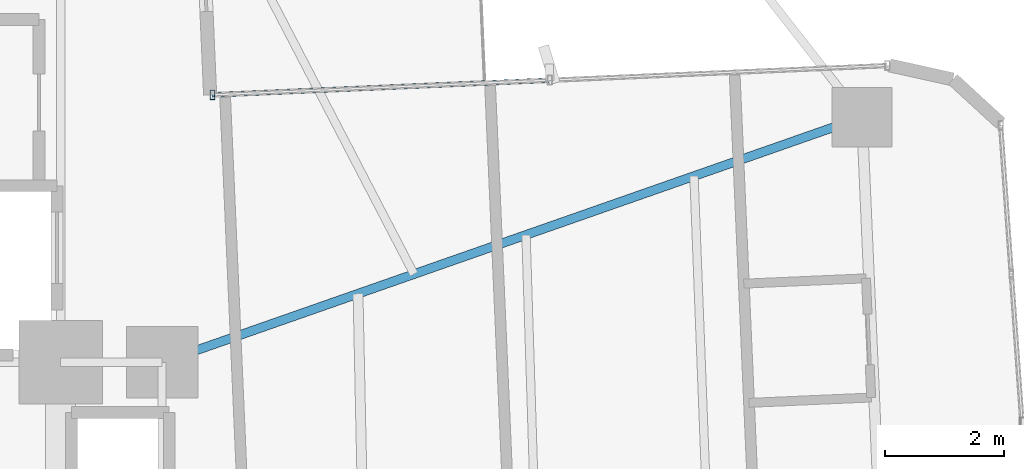
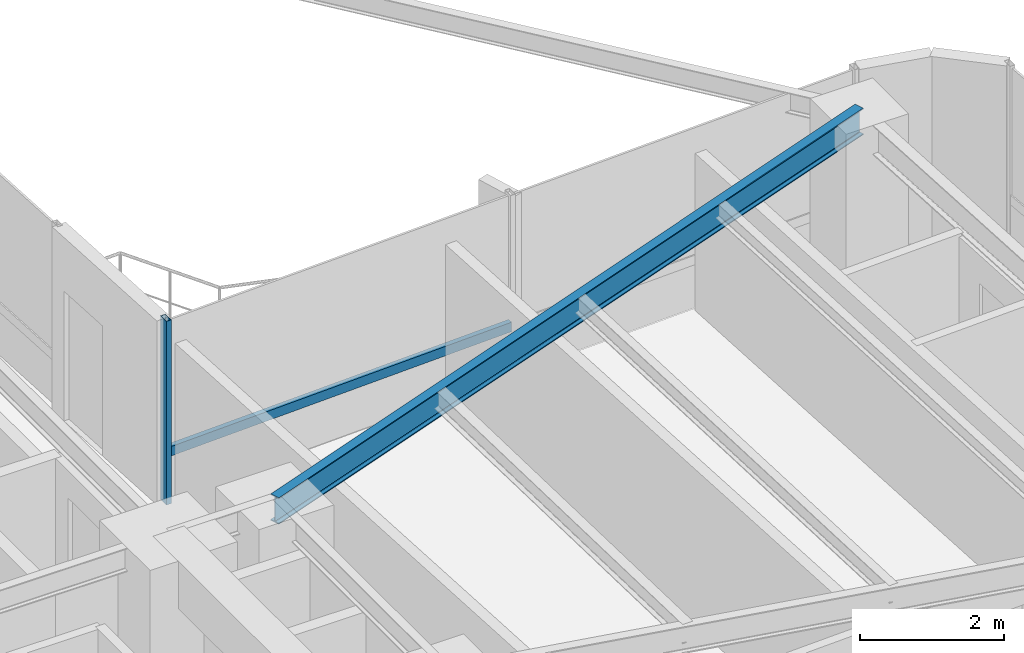
# One storey, part 13 of 26: 2 members, 1 beam, 1 element without a shape of its own.
"""IFC4 building model written with IfcOpenShell, lengths in metres."""

from ifc_helpers import new_model, si_unit, direction, frame, origin, origin_2d, place, context, subcontext, project, spatial, hollow_rectangle, i_section, extrude, source, transform, mapped, material, material_profile, profile_set, type_object, element, aggregate, save


model = new_model("IFC4")

# Units and contexts
model_context = context("Model", 3, precision=1e-05, world=origin(), true_north=direction((0.0, 1.0)))
body_context = subcontext(model_context, "Body", "Model", "MODEL_VIEW")
ifc_project = project(units=[si_unit("LENGTHUNIT", "METRE"), si_unit("AREAUNIT", "SQUARE_METRE"), si_unit("VOLUMEUNIT", "CUBIC_METRE"), si_unit("PLANEANGLEUNIT", "RADIAN"), si_unit("MASSUNIT", "GRAM", prefix="KILO")], contexts=[model_context])

# Site, building, storey
site_placement = place(None, origin())
site = spatial("IfcSite", under=ifc_project, at=site_placement, CompositionType="ELEMENT")
building_placement = place(site_placement, origin())
building = spatial("IfcBuilding", under=site, at=building_placement, Name="Sahyath Konkavel Grand Hotel", CompositionType="ELEMENT")
storey_placement = place(building_placement, frame((0.0, 0.0, 124.85009765625)))
storey = spatial("IfcBuildingStorey", under=building, at=storey_placement, Name="L34", CompositionType="ELEMENT", Elevation=124.85009765625)

# Beam
ifc_material_1 = material(Name="Steel E350", Category="steel")
ifc_material_profile_1 = material_profile(ifc_material_1, i_section(OverallWidth=0.14990234375, OverallDepth=0.449951171875, WebThickness=0.009521484375, FlangeThickness=0.017333984375, FilletRadius=0.014892578125, at=origin_2d()), Name="ISMB 450")
ifc_profile_set_1 = profile_set([ifc_material_profile_1], Name="Steel E350")
beam_type = type_object("IfcBeamType", Name="BM-ISMB450", PredefinedType="BEAM", material=ifc_profile_set_1)
shared_shape_1 = source(origin(), body_context, "Body", "SweptSolid", [
    extrude(i_section(OverallWidth=0.14990234375, OverallDepth=0.449951171875, WebThickness=0.009521484375, FlangeThickness=0.017333984375, FilletRadius=0.014892578125, at=origin_2d()), origin(), (0.0, 0.0, 1.0), 12.430908203125),
])
beam_placement = place(storey_placement, frame((5.5, 2.39990234375, 2.885009765625), z_axis=(0.943819157235, 0.330462400941, 0.0), x_axis=(-0.330462400941, 0.943819157235, 0.0)))
element("IfcBeam", 1, at=beam_placement, inside=storey, type_object=beam_type, Name="L34 Cruciform Radial Girder EB", PredefinedType="BEAM", context=body_context, shape_type="MappedRepresentation", body=[
    mapped(shared_shape_1, transform((0.0, 0.0, 0.0), scale=1.0)),
])

# Curtain wall, members
ifc_material_2 = material(Name="Anodised Bronze Aluminium & Low-E Glazing", Category="aluminium")
curtain_wall_type = type_object("IfcCurtainWallType", Name="CW-ZONE2", PredefinedType="NOTDEFINED", material=ifc_material_2)
curtain_wall_placement = place(storey_placement, origin())
curtain_wall = element("IfcCurtainWall", 2, at=curtain_wall_placement, inside=storey, type_object=curtain_wall_type, Name="L34 Unitised Curtain Wall F7", PredefinedType="NOTDEFINED")
ifc_material_3 = material(Name="Anodised Bronze Aluminium", Category="aluminium")
ifc_material_profile_2 = material_profile(ifc_material_3, hollow_rectangle(XDim=0.080078125, YDim=0.159912109375, WallThickness=0.006103515625, at=origin_2d()), Name="RHS 160x80x6")
ifc_profile_set_2 = profile_set([ifc_material_profile_2], Name="Anodised Bronze Aluminium")
member_type_1 = type_object("IfcMemberType", Name="CW-MUL-160", PredefinedType="MULLION", material=ifc_profile_set_2)
shared_shape_2 = source(origin(), body_context, "Body", "SweptSolid", [
    extrude(hollow_rectangle(XDim=0.080078125, YDim=0.159912109375, WallThickness=0.006103515625, at=origin_2d()), origin(), (0.0, 0.0, 1.0), 3.10986328125),
])
member_1_placement = place(storey_placement, frame((6.345703125, 6.88330078125, 0.0), z_axis=(0.0, 0.0, 1.0), x_axis=(1.0, 0.0, 0.0)))
member_1 = element("IfcMember", 3, at=member_1_placement, type_object=member_type_1, Name="L34 Curtain Wall Mullion F7-2", PredefinedType="MULLION", context=body_context, shape_type="MappedRepresentation", body=[
    mapped(shared_shape_2, transform((0.0, 0.0, 0.0), scale=1.0)),
])
ifc_material_profile_3 = material_profile(ifc_material_3, hollow_rectangle(XDim=0.080078125, YDim=0.159912109375, WallThickness=0.006103515625, at=origin_2d()), Name="RHS 160x80x6")
ifc_profile_set_3 = profile_set([ifc_material_profile_3], Name="Anodised Bronze Aluminium")
member_type_2 = type_object("IfcMemberType", Name="CW-TRN-160", PredefinedType="USERDEFINED", material=ifc_profile_set_3)
shared_shape_3 = source(origin(), body_context, "Body", "SweptSolid", [
    extrude(hollow_rectangle(XDim=0.080078125, YDim=0.159912109375, WallThickness=0.006103515625, at=origin_2d()), origin(), (0.0, 0.0, 1.0), 5.66015625),
])
member_2_placement = place(storey_placement, frame((12.00048828125, 7.13037109375, 0.849853515625), z_axis=(-0.9990468579, -0.043650609628, 0.0), x_axis=(0.043650609628, -0.9990468579, 0.0)))
member_2 = element("IfcMember", 4, at=member_2_placement, type_object=member_type_2, Name="L34 Curtain Wall Transom F7-1-spandrel", ObjectType="TRANSOM", PredefinedType="USERDEFINED", context=body_context, shape_type="MappedRepresentation", body=[
    mapped(shared_shape_3, transform((0.0, 0.0, 0.0), scale=1.0)),
])
aggregate(curtain_wall, [member_1, member_2])

save(model, "model.ifc")
